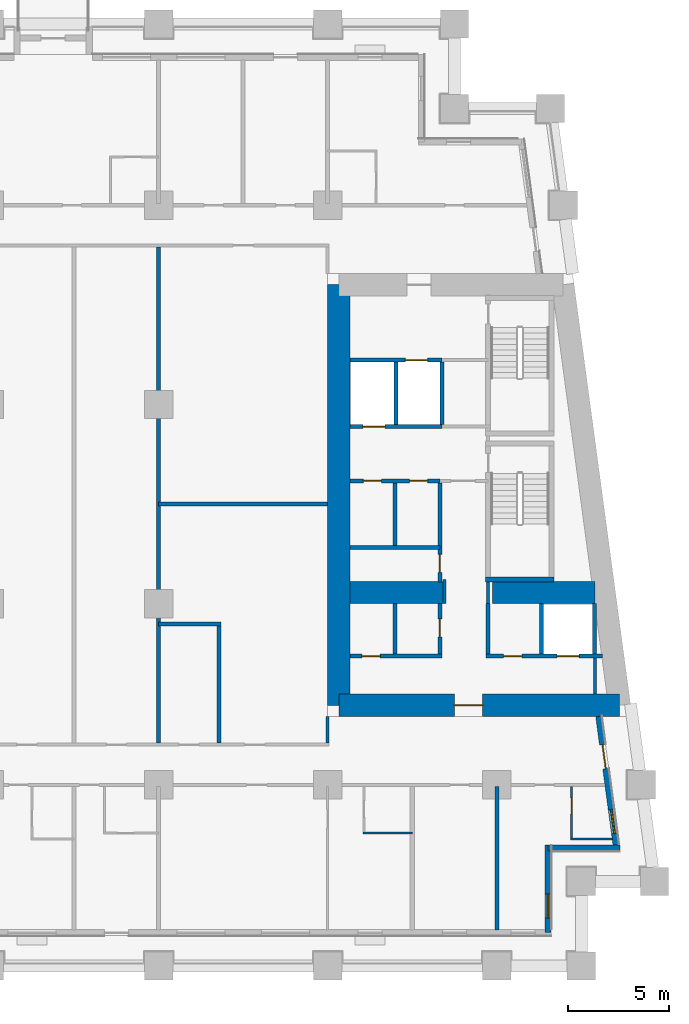
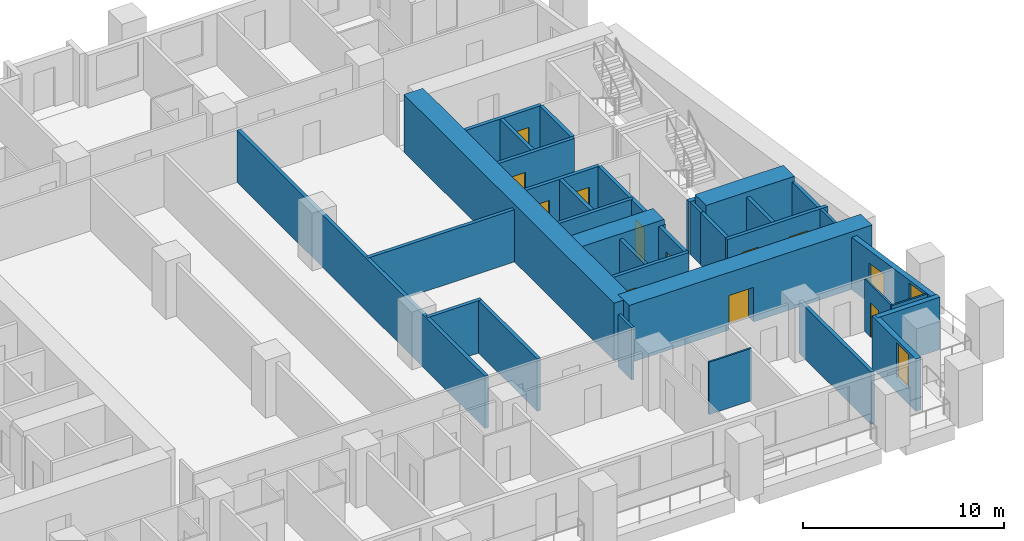
# One storey, part 5 of 13: 35 walls, 12 doors, 2 windows, 14 openings.
"""IFC4 building model written with IfcOpenShell, lengths in metres."""

from ifc_helpers import new_model, si_unit, direction, frame, frame_2d, origin, place, context, subcontext, project, spatial, rectangle, extrude, material, layer, layer_set, type_object, element, fill, save


model = new_model("IFC4")

# Units and contexts
model_context = context("Model", 3, precision=1e-05, world=origin(), true_north=direction((0.0, 1.0)))
body_context = subcontext(model_context, "Body", "Model", "MODEL_VIEW")
ifc_project = project(units=[si_unit("LENGTHUNIT", "METRE"), si_unit("AREAUNIT", "SQUARE_METRE"), si_unit("VOLUMEUNIT", "CUBIC_METRE"), si_unit("PLANEANGLEUNIT", "RADIAN"), si_unit("MASSUNIT", "GRAM", prefix="KILO")], contexts=[model_context])

# Site, building, storey
site_placement = place(None, origin())
site = spatial("IfcSite", under=ifc_project, at=site_placement, CompositionType="ELEMENT")
building_placement = place(site_placement, origin())
building = spatial("IfcBuilding", under=site, at=building_placement, Name="Candeia Pilgrim Tower and Theatre", CompositionType="ELEMENT")
storey_placement = place(building_placement, frame((0.0, 0.0, 67.0)))
storey = spatial("IfcBuildingStorey", under=building, at=storey_placement, Name="L14", CompositionType="ELEMENT", Elevation=67.0)

# Wall, opening, door
ifc_material_1 = material(Name="Concrete C80/95", Category="concrete")
ifc_layer_1 = layer(ifc_material_1, 1.10009765625)
ifc_layer_set_1 = layer_set([ifc_layer_1], Name="Core wall 1100 C80/95")
wall_type_1 = type_object("IfcWallType", Name="Core wall 1100 C80/95", PredefinedType="SHEAR", material=ifc_layer_set_1)
wall_1_placement = place(storey_placement, frame((140.501708984375, 110.949951171875, 0.0), z_axis=(0.0, 0.0, 1.0), x_axis=(-1.0, 0.0, 0.0)))
wall_1 = element("IfcWall", 1, at=wall_1_placement, inside=storey, type_object=wall_type_1, Name="Core wall E3", PredefinedType="SHEAR", context=body_context, shape_type="SweptSolid", body=[
    extrude(rectangle(XDim=13.95166015625, YDim=1.10009765625, at=frame_2d((6.975830078125, 0.0))), origin(), (0.0, 0.0, 1.0), 3.5),
])
opening_1_placement = place(wall_1_placement, frame((6.80419921875, 0.0, 0.0)))
opening_1 = element("IfcOpeningElement", 2, at=opening_1_placement, cuts=wall_1, Name="Opening L14-D056", PredefinedType="OPENING", context=body_context, shape_type="SweptSolid", body=[
    extrude(rectangle(XDim=1.39990234375, YDim=2.10009765625, at=frame_2d((0.699951171875, 1.050048828125))), frame((0.0, 0.56005859375, 0.0), z_axis=(0.0, -1.0, 0.0), x_axis=(1.0, 0.0, 0.0)), (0.0, 0.0, 1.0), 1.1201171875),
])
ifc_material_2 = material(Name="Steel fire door set", Category="steel")
door_type_1 = type_object("IfcDoorType", Name="D-1400-FD60", OperationType="NOTDEFINED", PredefinedType="DOOR", material=ifc_material_2)
door_1_placement = place(opening_1_placement, origin())
door_1 = element("IfcDoor", 3, at=door_1_placement, inside=storey, type_object=door_type_1, Name="Door L14-D056", OperationType="SINGLE_SWING_RIGHT", OverallHeight=2.10009765625, OverallWidth=1.39990234375, PredefinedType="DOOR", context=body_context, shape_type="SweptSolid", body=[
    extrude(rectangle(XDim=1.39990234375, YDim=2.10009765625, at=frame_2d((0.699951171875, 1.050048828125))), frame((0.0, 0.02490234375, 0.0), z_axis=(0.0, -1.0, 0.0), x_axis=(1.0, 0.0, 0.0)), (0.0, 0.0, 1.0), 0.050048828125),
])
fill(opening_1, door_1)

# Walls
wall_2_placement = place(storey_placement, frame((126.550048828125, 110.949951171875, 0.0), z_axis=(0.0, 0.0, 1.0), x_axis=(0.0, 1.0, 0.0)))
element("IfcWall", 4, at=wall_2_placement, inside=storey, type_object=wall_type_1, Name="Core wall E4", PredefinedType="SHEAR", context=body_context, shape_type="SweptSolid", body=[
    extrude(rectangle(XDim=20.900146484375, YDim=1.10009765625, at=frame_2d((10.4501953125, 0.0))), origin(), (0.0, 0.0, 1.0), 3.5),
])
wall_3_placement = place(storey_placement, frame((127.10009765625, 116.550048828125, 0.0), z_axis=(0.0, 0.0, 1.0), x_axis=(1.0, 0.0, 0.0)))
element("IfcWall", 5, at=wall_3_placement, inside=storey, type_object=wall_type_1, Name="Core wall E5", PredefinedType="SHEAR", context=body_context, shape_type="SweptSolid", body=[
    extrude(rectangle(XDim=4.699951171875, YDim=1.10009765625, at=frame_2d((2.35009765625, 0.0))), origin(), (0.0, 0.0, 1.0), 3.5),
])
wall_4_placement = place(storey_placement, frame((134.199951171875, 116.550048828125, 0.0), z_axis=(0.0, 0.0, 1.0), x_axis=(1.0, 0.0, 0.0)))
element("IfcWall", 6, at=wall_4_placement, inside=storey, type_object=wall_type_1, Name="Core wall E6", PredefinedType="SHEAR", context=body_context, shape_type="SweptSolid", body=[
    extrude(rectangle(XDim=5.076904296875, YDim=1.10009765625, at=frame_2d((2.53857421875, 0.0))), origin(), (0.0, 0.0, 1.0), 3.5),
])

# Wall, opening, window
ifc_material_3 = material(Name="Ceramic block masonry", Category="masonry")
ifc_layer_2 = layer(ifc_material_3, 0.300048828125)
ifc_layer_set_2 = layer_set([ifc_layer_2], Name="EW1 glazing-line wall 300")
wall_type_2 = type_object("IfcWallType", Name="EW1 glazing-line wall 300", PredefinedType="SOLIDWALL", material=ifc_layer_set_2)
wall_5_placement = place(storey_placement, frame((136.949951171875, 99.64990234375, 0.0), z_axis=(0.0, 0.0, 1.0), x_axis=(0.0, 1.0, 0.0)))
wall_5 = element("IfcWall", 7, at=wall_5_placement, inside=storey, type_object=wall_type_2, Name="External wall L14-1.0", PredefinedType="SOLIDWALL", context=body_context, shape_type="SweptSolid", body=[
    extrude(rectangle(XDim=4.35009765625, YDim=0.300048828125, at=frame_2d((2.175048828125, 0.0))), origin(), (0.0, 0.0, 1.0), 3.179931640625),
])
opening_2_placement = place(wall_5_placement, frame((0.72509765625, 0.0, 0.89990234375)))
opening_2 = element("IfcOpeningElement", 8, at=opening_2_placement, cuts=wall_5, Name="Opening W-B", PredefinedType="OPENING", context=body_context, shape_type="SweptSolid", body=[
    extrude(rectangle(XDim=1.199951171875, YDim=2.10009765625, at=frame_2d((0.60009765625, 1.050048828125))), frame((0.0, 0.16015625, 0.0), z_axis=(0.0, -1.0, 0.0), x_axis=(1.0, 0.0, 0.0)), (0.0, 0.0, 1.0), 0.320068359375),
])
ifc_material_4 = material(Name="Aluminium framed double glazing", Category="aluminium")
window_type = type_object("IfcWindowType", Name="W-B window 1200x2100", PartitioningType="SINGLE_PANEL", PredefinedType="WINDOW", material=ifc_material_4)
window_1_placement = place(opening_2_placement, origin())
window_1 = element("IfcWindow", 9, at=window_1_placement, inside=storey, type_object=window_type, Name="Window W-B L14", OverallHeight=2.10009765625, OverallWidth=1.199951171875, PartitioningType="SINGLE_PANEL", PredefinedType="WINDOW", context=body_context, shape_type="SweptSolid", body=[
    extrude(rectangle(XDim=1.199951171875, YDim=2.10009765625, at=frame_2d((0.60009765625, 1.050048828125))), frame((0.0, 0.030029296875, 0.0), z_axis=(0.0, -1.0, 0.0), x_axis=(1.0, 0.0, 0.0)), (0.0, 0.0, 1.0), 0.06005859375),
])
fill(opening_2, window_1)

# Wall
wall_6_placement = place(storey_placement, frame((136.949951171875, 103.85009765625, 0.0), z_axis=(0.0, 0.0, 1.0), x_axis=(1.0, 0.0, 0.0)))
element("IfcWall", 10, at=wall_6_placement, inside=storey, type_object=wall_type_2, Name="External wall L14-2.0", PredefinedType="SOLIDWALL", context=body_context, shape_type="SweptSolid", body=[
    extrude(rectangle(XDim=3.569091796875, YDim=0.300048828125, at=frame_2d((1.78466796875, 0.0))), origin(), (0.0, 0.0, 1.0), 3.179931640625),
])

# Wall, openings, door, window
wall_7_placement = place(storey_placement, frame((140.34765625, 103.85009765625, 0.0), z_axis=(0.0, 0.0, 1.0), x_axis=(-0.133431549479, 0.991058031401, 0.0)))
wall_7 = element("IfcWall", 11, at=wall_7_placement, inside=storey, type_object=wall_type_2, Name="External wall L14-3.0", PredefinedType="SOLIDWALL", context=body_context, shape_type="SweptSolid", body=[
    extrude(rectangle(XDim=6.60888671875, YDim=0.300048828125, at=frame_2d((3.304443359375, 0.0))), origin(), (0.0, 0.0, 1.0), 3.179931640625),
])
opening_3_placement = place(wall_7_placement, frame((0.736572265625, 0.0, 0.89990234375)))
opening_3 = element("IfcOpeningElement", 12, at=opening_3_placement, cuts=wall_7, Name="Opening W-B", PredefinedType="OPENING", context=body_context, shape_type="SweptSolid", body=[
    extrude(rectangle(XDim=1.199951171875, YDim=2.10009765625, at=frame_2d((0.60009765625, 1.050048828125))), frame((0.0, 0.16015625, 0.0), z_axis=(0.0, -1.0, 0.0), x_axis=(1.0, 0.0, 0.0)), (0.0, 0.0, 1.0), 0.320068359375),
])
opening_4_placement = place(wall_7_placement, frame((3.990966796875, 0.0, 0.0)))
opening_4 = element("IfcOpeningElement", 13, at=opening_4_placement, cuts=wall_7, Name="Opening L14-ED158", PredefinedType="OPENING", context=body_context, shape_type="SweptSolid", body=[
    extrude(rectangle(XDim=1.199951171875, YDim=2.39990234375, at=frame_2d((0.60009765625, 1.199951171875))), frame((0.0, 0.16015625, 0.0), z_axis=(0.0, -1.0, 0.0), x_axis=(1.0, 0.0, 0.0)), (0.0, 0.0, 1.0), 0.320068359375),
])
ifc_material_5 = material(Name="Aluminium framed glazed door", Category="aluminium")
door_type_2 = type_object("IfcDoorType", Name="Loggia door 1200x2400", OperationType="DOUBLE_DOOR_SINGLE_SWING", PredefinedType="DOOR", material=ifc_material_5)
door_2_placement = place(opening_4_placement, origin())
door_2 = element("IfcDoor", 14, at=door_2_placement, inside=storey, type_object=door_type_2, Name="Loggia door L14-ED158", OperationType="DOUBLE_DOOR_SINGLE_SWING", OverallHeight=2.39990234375, OverallWidth=1.199951171875, PredefinedType="DOOR", context=body_context, shape_type="SweptSolid", body=[
    extrude(rectangle(XDim=1.199951171875, YDim=2.39990234375, at=frame_2d((0.60009765625, 1.199951171875))), frame((0.0, 0.02490234375, 0.0), z_axis=(0.0, -1.0, 0.0), x_axis=(1.0, 0.0, 0.0)), (0.0, 0.0, 1.0), 0.050048828125),
])
fill(opening_4, door_2)
window_2_placement = place(opening_3_placement, origin())
window_2 = element("IfcWindow", 15, at=window_2_placement, inside=storey, type_object=window_type, Name="Window W-B L14", OverallHeight=2.10009765625, OverallWidth=1.199951171875, PartitioningType="SINGLE_PANEL", PredefinedType="WINDOW", context=body_context, shape_type="SweptSolid", body=[
    extrude(rectangle(XDim=1.199951171875, YDim=2.10009765625, at=frame_2d((0.60009765625, 1.050048828125))), frame((0.0, 0.030029296875, 0.0), z_axis=(0.0, -1.0, 0.0), x_axis=(1.0, 0.0, 0.0)), (0.0, 0.0, 1.0), 0.06005859375),
])
fill(opening_3, window_2)

# Walls
ifc_material_6 = material(Name="Gypsum board partition on steel studs", Category="steel")
ifc_layer_3 = layer(ifc_material_6, 0.10009765625)
ifc_layer_set_3 = layer_set([ifc_layer_3], Name="PW-100 room partition")
wall_type_3 = type_object("IfcWallType", Name="PW-100 room partition", PredefinedType="PARTITIONING", material=ifc_layer_set_3)
wall_8_placement = place(storey_placement, frame((138.070068359375, 104.300048828125, 0.0), z_axis=(0.0, 0.0, 1.0), x_axis=(1.0, 0.0, 0.0)))
element("IfcWall", 16, at=wall_8_placement, inside=storey, type_object=wall_type_3, Name="Room partition L14-003", PredefinedType="PARTITIONING", context=body_context, shape_type="SweptSolid", body=[
    extrude(rectangle(XDim=2.07568359375, YDim=0.10009765625, at=frame_2d((1.037841796875, 0.0))), origin(), (0.0, 0.0, 1.0), 3.179931640625),
])
wall_9_placement = place(storey_placement, frame((127.75, 104.60009765625, 0.0), z_axis=(0.0, 0.0, 1.0), x_axis=(1.0, 0.0, 0.0)))
element("IfcWall", 17, at=wall_9_placement, inside=storey, type_object=wall_type_3, Name="Room partition L14-006", PredefinedType="PARTITIONING", context=body_context, shape_type="SweptSolid", body=[
    extrude(rectangle(XDim=2.449951171875, YDim=0.10009765625, at=frame_2d((1.22509765625, 0.0))), origin(), (0.0, 0.0, 1.0), 3.179931640625),
])

# Wall, opening, door
wall_10_placement = place(storey_placement, frame((138.1201171875, 104.35009765625, 0.0), z_axis=(0.0, 0.0, 1.0), x_axis=(0.0, 1.0, 0.0)))
wall_10 = element("IfcWall", 18, at=wall_10_placement, inside=storey, type_object=wall_type_3, Name="Room partition L14-111", PredefinedType="PARTITIONING", context=body_context, shape_type="SweptSolid", body=[
    extrude(rectangle(XDim=2.574951171875, YDim=0.10009765625, at=frame_2d((1.28759765625, 0.0))), origin(), (0.0, 0.0, 1.0), 3.179931640625),
])
opening_5_placement = place(wall_10_placement, frame((1.199951171875, 0.0, 0.0)))
opening_5 = element("IfcOpeningElement", 19, at=opening_5_placement, cuts=wall_10, Name="Opening L14-D036", PredefinedType="OPENING", context=body_context, shape_type="SweptSolid", body=[
    extrude(rectangle(XDim=0.800048828125, YDim=2.10009765625, at=frame_2d((0.39990234375, 1.050048828125))), frame((0.0, 0.06005859375, 0.0), z_axis=(0.0, -1.0, 0.0), x_axis=(1.0, 0.0, 0.0)), (0.0, 0.0, 1.0), 0.1201171875),
])
ifc_material_7 = material(Name="Timber door leaf", Category="wood")
door_type_3 = type_object("IfcDoorType", Name="D-800", OperationType="NOTDEFINED", PredefinedType="DOOR", material=ifc_material_7)
door_3_placement = place(opening_5_placement, origin())
door_3 = element("IfcDoor", 20, at=door_3_placement, inside=storey, type_object=door_type_3, Name="Door L14-D036", OperationType="SINGLE_SWING_RIGHT", OverallHeight=2.10009765625, OverallWidth=0.800048828125, PredefinedType="DOOR", context=body_context, shape_type="SweptSolid", body=[
    extrude(rectangle(XDim=0.800048828125, YDim=2.10009765625, at=frame_2d((0.39990234375, 1.050048828125))), frame((0.0, 0.02490234375, 0.0), z_axis=(0.0, -1.0, 0.0), x_axis=(1.0, 0.0, 0.0)), (0.0, 0.0, 1.0), 0.050048828125),
])
fill(opening_5, door_3)

# Walls
ifc_layer_4 = layer(ifc_material_6, 0.14990234375)
ifc_layer_set_4 = layer_set([ifc_layer_4], Name="PW-150 lobby wall")
wall_type_4 = type_object("IfcWallType", Name="PW-150 lobby wall", PredefinedType="PARTITIONING", material=ifc_layer_set_4)
wall_11_placement = place(storey_placement, frame((131.800048828125, 116.0, 0.0), z_axis=(0.0, 0.0, 1.0), x_axis=(0.0, 1.0, 0.0)))
element("IfcWall", 21, at=wall_11_placement, inside=storey, type_object=wall_type_4, Name="Lobby wall L14-101", PredefinedType="PARTITIONING", context=body_context, shape_type="SweptSolid", body=[
    extrude(rectangle(XDim=1.199951171875, YDim=0.14990234375, at=frame_2d((0.60009765625, 0.0))), origin(), (0.0, 0.0, 1.0), 3.179931640625),
])
wall_12_placement = place(storey_placement, frame((133.972900390625, 116.0, 0.0), z_axis=(0.0, 0.0, 1.0), x_axis=(0.0, 1.0, 0.0)))
element("IfcWall", 22, at=wall_12_placement, inside=storey, type_object=wall_type_4, Name="Lobby wall L14-103", PredefinedType="PARTITIONING", context=body_context, shape_type="SweptSolid", body=[
    extrude(rectangle(XDim=1.070068359375, YDim=0.14990234375, at=frame_2d((0.53515625, 0.0))), origin(), (0.0, 0.0, 1.0), 3.179931640625),
])
wall_13_placement = place(storey_placement, frame((139.27001953125, 111.5, 0.0), z_axis=(0.0, 0.0, 1.0), x_axis=(0.0, 1.0, 0.0)))
element("IfcWall", 23, at=wall_13_placement, inside=storey, type_object=wall_type_4, Name="Lobby wall L14-113", PredefinedType="PARTITIONING", context=body_context, shape_type="SweptSolid", body=[
    extrude(rectangle(XDim=1.800048828125, YDim=0.14990234375, at=frame_2d((0.89990234375, 0.0))), origin(), (0.0, 0.0, 1.0), 3.179931640625),
])
ifc_layer_5 = layer(ifc_material_6, 0.14990234375)
ifc_layer_set_5 = layer_set([ifc_layer_5], Name="PW-150 unit wall")
wall_type_5 = type_object("IfcWallType", Name="PW-150 unit wall", PredefinedType="PARTITIONING", material=ifc_layer_set_5)
wall_14_placement = place(storey_placement, frame((126.0, 109.074951171875, 0.0), z_axis=(0.0, 0.0, 1.0), x_axis=(0.0, 1.0, 0.0)))
element("IfcWall", 24, at=wall_14_placement, inside=storey, type_object=wall_type_5, Name="Unit wall L14-090", PredefinedType="PARTITIONING", context=body_context, shape_type="SweptSolid", body=[
    extrude(rectangle(XDim=1.324951171875, YDim=0.14990234375, at=frame_2d((0.66259765625, 0.0))), origin(), (0.0, 0.0, 1.0), 3.179931640625),
])
ifc_layer_6 = layer(ifc_material_6, 0.199951171875)
ifc_layer_set_6 = layer_set([ifc_layer_6], Name="PW-200 party wall")
wall_type_6 = type_object("IfcWallType", Name="PW-200 party wall", PredefinedType="PARTITIONING", material=ifc_layer_set_6)
wall_15_placement = place(storey_placement, frame((117.60009765625, 115.0, 0.0), z_axis=(0.0, 0.0, 1.0), x_axis=(1.0, 0.0, 0.0)))
element("IfcWall", 25, at=wall_15_placement, inside=storey, type_object=wall_type_6, Name="Party wall L14-015", PredefinedType="PARTITIONING", context=body_context, shape_type="SweptSolid", body=[
    extrude(rectangle(XDim=3.099853515625, YDim=0.199951171875, at=frame_2d((1.5498046875, 0.0))), origin(), (0.0, 0.0, 1.0), 3.179931640625),
])
wall_16_placement = place(storey_placement, frame((117.60009765625, 120.949951171875, 0.0), z_axis=(0.0, 0.0, 1.0), x_axis=(1.0, 0.0, 0.0)))
element("IfcWall", 26, at=wall_16_placement, inside=storey, type_object=wall_type_6, Name="Party wall L14-020", PredefinedType="PARTITIONING", context=body_context, shape_type="SweptSolid", body=[
    extrude(rectangle(XDim=8.39990234375, YDim=0.199951171875, at=frame_2d((4.199951171875, 0.0))), origin(), (0.0, 0.0, 1.0), 3.179931640625),
])
wall_17_placement = place(storey_placement, frame((117.60009765625, 109.074951171875, 0.0), z_axis=(0.0, 0.0, 1.0), x_axis=(0.0, 1.0, 0.0)))
element("IfcWall", 27, at=wall_17_placement, inside=storey, type_object=wall_type_6, Name="Party wall L14-084", PredefinedType="PARTITIONING", context=body_context, shape_type="SweptSolid", body=[
    extrude(rectangle(XDim=24.650146484375, YDim=0.199951171875, at=frame_2d((12.3251953125, 0.0))), origin(), (0.0, 0.0, 1.0), 3.179931640625),
])
wall_18_placement = place(storey_placement, frame((120.60009765625, 109.074951171875, 0.0), z_axis=(0.0, 0.0, 1.0), x_axis=(0.0, 1.0, 0.0)))
element("IfcWall", 28, at=wall_18_placement, inside=storey, type_object=wall_type_6, Name="Party wall L14-086", PredefinedType="PARTITIONING", context=body_context, shape_type="SweptSolid", body=[
    extrude(rectangle(XDim=5.824951171875, YDim=0.199951171875, at=frame_2d((2.91259765625, 0.0))), origin(), (0.0, 0.0, 1.0), 3.179931640625),
])
wall_19_placement = place(storey_placement, frame((134.39990234375, 99.7900390625, 0.0), z_axis=(0.0, 0.0, 1.0), x_axis=(0.0, 1.0, 0.0)))
element("IfcWall", 29, at=wall_19_placement, inside=storey, type_object=wall_type_6, Name="Party wall L14-107", PredefinedType="PARTITIONING", context=body_context, shape_type="SweptSolid", body=[
    extrude(rectangle(XDim=7.135009765625, YDim=0.199951171875, at=frame_2d((3.5673828125, 0.0))), origin(), (0.0, 0.0, 1.0), 3.179931640625),
])

# Wall, opening, door
ifc_material_8 = material(Name="Concrete C40/50", Category="concrete")
ifc_layer_7 = layer(ifc_material_8, 0.199951171875)
ifc_layer_set_7 = layer_set([ifc_layer_7], Name="SW-200 shaft wall")
wall_type_7 = type_object("IfcWallType", Name="SW-200 shaft wall", PredefinedType="PARTITIONING", material=ifc_layer_set_7)
wall_20_placement = place(storey_placement, frame((127.10009765625, 113.39990234375, 0.0), z_axis=(0.0, 0.0, 1.0), x_axis=(1.0, 0.0, 0.0)))
wall_20 = element("IfcWall", 30, at=wall_20_placement, inside=storey, type_object=wall_type_7, Name="Shaft wall L14-013", PredefinedType="PARTITIONING", context=body_context, shape_type="SweptSolid", body=[
    extrude(rectangle(XDim=4.572998046875, YDim=0.199951171875, at=frame_2d((2.28662109375, 0.0))), origin(), (0.0, 0.0, 1.0), 3.179931640625),
])
opening_6_placement = place(wall_20_placement, frame((0.60498046875, 0.0, 0.0)))
opening_6 = element("IfcOpeningElement", 31, at=opening_6_placement, cuts=wall_20, Name="Opening L14-D016", PredefinedType="OPENING", context=body_context, shape_type="SweptSolid", body=[
    extrude(rectangle(XDim=0.89990234375, YDim=2.10009765625, at=frame_2d((0.449951171875, 1.050048828125))), frame((0.0, 0.10986328125, 0.0), z_axis=(0.0, -1.0, 0.0), x_axis=(1.0, 0.0, 0.0)), (0.0, 0.0, 1.0), 0.219970703125),
])
door_type_4 = type_object("IfcDoorType", Name="D-900-FD60", OperationType="NOTDEFINED", PredefinedType="DOOR", material=ifc_material_2)
door_4_placement = place(opening_6_placement, origin())
door_4 = element("IfcDoor", 32, at=door_4_placement, inside=storey, type_object=door_type_4, Name="Door L14-D016", OperationType="SINGLE_SWING_RIGHT", OverallHeight=2.10009765625, OverallWidth=0.89990234375, PredefinedType="DOOR", context=body_context, shape_type="SweptSolid", body=[
    extrude(rectangle(XDim=0.89990234375, YDim=2.10009765625, at=frame_2d((0.449951171875, 1.050048828125))), frame((0.0, 0.02490234375, 0.0), z_axis=(0.0, -1.0, 0.0), x_axis=(1.0, 0.0, 0.0)), (0.0, 0.0, 1.0), 0.050048828125),
])
fill(opening_6, door_4)

# Wall, openings, doors
wall_21_placement = place(storey_placement, frame((133.873046875, 113.39990234375, 0.0), z_axis=(0.0, 0.0, 1.0), x_axis=(1.0, 0.0, 0.0)))
wall_21 = element("IfcWall", 33, at=wall_21_placement, inside=storey, type_object=wall_type_7, Name="Shaft wall L14-014", PredefinedType="PARTITIONING", context=body_context, shape_type="SweptSolid", body=[
    extrude(rectangle(XDim=5.77392578125, YDim=0.199951171875, at=frame_2d((2.886962890625, 0.0))), origin(), (0.0, 0.0, 1.0), 3.179931640625),
])
opening_7_placement = place(wall_21_placement, frame((3.52294921875, 0.0, 0.0)))
opening_7 = element("IfcOpeningElement", 34, at=opening_7_placement, cuts=wall_21, Name="Opening L14-LD08", PredefinedType="OPENING", context=body_context, shape_type="SweptSolid", body=[
    extrude(rectangle(XDim=1.10009765625, YDim=2.10009765625, at=frame_2d((0.550048828125, 1.050048828125))), frame((0.0, 0.10986328125, 0.0), z_axis=(0.0, -1.0, 0.0), x_axis=(1.0, 0.0, 0.0)), (0.0, 0.0, 1.0), 0.219970703125),
])
opening_8_placement = place(wall_21_placement, frame((0.868896484375, 0.0, 0.0)))
opening_8 = element("IfcOpeningElement", 35, at=opening_8_placement, cuts=wall_21, Name="Opening L14-D014", PredefinedType="OPENING", context=body_context, shape_type="SweptSolid", body=[
    extrude(rectangle(XDim=0.89990234375, YDim=2.10009765625, at=frame_2d((0.449951171875, 1.050048828125))), frame((0.0, 0.10986328125, 0.0), z_axis=(0.0, -1.0, 0.0), x_axis=(1.0, 0.0, 0.0)), (0.0, 0.0, 1.0), 0.219970703125),
])
door_5_placement = place(opening_8_placement, origin())
door_5 = element("IfcDoor", 36, at=door_5_placement, inside=storey, type_object=door_type_4, Name="Door L14-D014", OperationType="SINGLE_SWING_RIGHT", OverallHeight=2.10009765625, OverallWidth=0.89990234375, PredefinedType="DOOR", context=body_context, shape_type="SweptSolid", body=[
    extrude(rectangle(XDim=0.89990234375, YDim=2.10009765625, at=frame_2d((0.449951171875, 1.050048828125))), frame((0.0, 0.02490234375, 0.0), z_axis=(0.0, -1.0, 0.0), x_axis=(1.0, 0.0, 0.0)), (0.0, 0.0, 1.0), 0.050048828125),
])
fill(opening_8, door_5)
ifc_material_9 = material(Name="Glazed aluminium landing door", Category="aluminium")
door_type_5 = type_object("IfcDoorType", Name="LD-1100-EI120", OperationType="SLIDING_TO_LEFT", PredefinedType="DOOR", material=ifc_material_9)
door_6_placement = place(opening_7_placement, origin())
door_6 = element("IfcDoor", 37, at=door_6_placement, inside=storey, type_object=door_type_5, Name="Landing door 08 L14", OperationType="SLIDING_TO_LEFT", OverallHeight=2.10009765625, OverallWidth=1.10009765625, PredefinedType="DOOR", context=body_context, shape_type="SweptSolid", body=[
    extrude(rectangle(XDim=1.10009765625, YDim=2.10009765625, at=frame_2d((0.550048828125, 1.050048828125))), frame((0.0, 0.02490234375, 0.0), z_axis=(0.0, -1.0, 0.0), x_axis=(1.0, 0.0, 0.0)), (0.0, 0.0, 1.0), 0.050048828125),
])
fill(opening_7, door_6)

# Wall
wall_22_placement = place(storey_placement, frame((127.10009765625, 118.800048828125, 0.0), z_axis=(0.0, 0.0, 1.0), x_axis=(1.0, 0.0, 0.0)))
element("IfcWall", 38, at=wall_22_placement, inside=storey, type_object=wall_type_7, Name="Shaft wall L14-019", PredefinedType="PARTITIONING", context=body_context, shape_type="SweptSolid", body=[
    extrude(rectangle(XDim=4.472900390625, YDim=0.199951171875, at=frame_2d((2.236328125, 0.0))), origin(), (0.0, 0.0, 1.0), 3.179931640625),
])

# Wall, openings, doors
wall_23_placement = place(storey_placement, frame((127.10009765625, 122.10009765625, 0.0), z_axis=(0.0, 0.0, 1.0), x_axis=(1.0, 0.0, 0.0)))
wall_23 = element("IfcWall", 39, at=wall_23_placement, inside=storey, type_object=wall_type_7, Name="Shaft wall L14-022", PredefinedType="PARTITIONING", context=body_context, shape_type="SweptSolid", body=[
    extrude(rectangle(XDim=4.472900390625, YDim=0.199951171875, at=frame_2d((2.236328125, 0.0))), origin(), (0.0, 0.0, 1.0), 3.179931640625),
])
opening_9_placement = place(wall_23_placement, frame((2.968017578125, 0.0, 0.0)))
opening_9 = element("IfcOpeningElement", 40, at=opening_9_placement, cuts=wall_23, Name="Opening L14-D009", PredefinedType="OPENING", context=body_context, shape_type="SweptSolid", body=[
    extrude(rectangle(XDim=0.89990234375, YDim=2.10009765625, at=frame_2d((0.449951171875, 1.050048828125))), frame((0.0, 0.10986328125, 0.0), z_axis=(0.0, -1.0, 0.0), x_axis=(1.0, 0.0, 0.0)), (0.0, 0.0, 1.0), 0.219970703125),
])
opening_10_placement = place(wall_23_placement, frame((0.66796875, 0.0, 0.0)))
opening_10 = element("IfcOpeningElement", 41, at=opening_10_placement, cuts=wall_23, Name="Opening L14-D010", PredefinedType="OPENING", context=body_context, shape_type="SweptSolid", body=[
    extrude(rectangle(XDim=0.89990234375, YDim=2.10009765625, at=frame_2d((0.449951171875, 1.050048828125))), frame((0.0, 0.10986328125, 0.0), z_axis=(0.0, -1.0, 0.0), x_axis=(1.0, 0.0, 0.0)), (0.0, 0.0, 1.0), 0.219970703125),
])
door_7_placement = place(opening_9_placement, origin())
door_7 = element("IfcDoor", 42, at=door_7_placement, inside=storey, type_object=door_type_4, Name="Door L14-D009", OperationType="SINGLE_SWING_RIGHT", OverallHeight=2.10009765625, OverallWidth=0.89990234375, PredefinedType="DOOR", context=body_context, shape_type="SweptSolid", body=[
    extrude(rectangle(XDim=0.89990234375, YDim=2.10009765625, at=frame_2d((0.449951171875, 1.050048828125))), frame((0.0, 0.02490234375, 0.0), z_axis=(0.0, -1.0, 0.0), x_axis=(1.0, 0.0, 0.0)), (0.0, 0.0, 1.0), 0.050048828125),
])
fill(opening_9, door_7)
door_8_placement = place(opening_10_placement, origin())
door_8 = element("IfcDoor", 43, at=door_8_placement, inside=storey, type_object=door_type_4, Name="Door L14-D010", OperationType="SINGLE_SWING_LEFT", OverallHeight=2.10009765625, OverallWidth=0.89990234375, PredefinedType="DOOR", context=body_context, shape_type="SweptSolid", body=[
    extrude(rectangle(XDim=0.89990234375, YDim=2.10009765625, at=frame_2d((0.449951171875, 1.050048828125))), frame((0.0, 0.02490234375, 0.0), z_axis=(0.0, -1.0, 0.0), x_axis=(1.0, 0.0, 0.0)), (0.0, 0.0, 1.0), 0.050048828125),
])
fill(opening_10, door_8)

# Wall, opening, door
wall_24_placement = place(storey_placement, frame((127.10009765625, 124.800048828125, 0.0), z_axis=(0.0, 0.0, 1.0), x_axis=(1.0, 0.0, 0.0)))
wall_24 = element("IfcWall", 44, at=wall_24_placement, inside=storey, type_object=wall_type_7, Name="Shaft wall L14-030", PredefinedType="PARTITIONING", context=body_context, shape_type="SweptSolid", body=[
    extrude(rectangle(XDim=4.581787109375, YDim=0.199951171875, at=frame_2d((2.291015625, 0.0))), origin(), (0.0, 0.0, 1.0), 3.179931640625),
])
opening_11_placement = place(wall_24_placement, frame((0.64501953125, 0.0, 0.0)))
opening_11 = element("IfcOpeningElement", 45, at=opening_11_placement, cuts=wall_24, Name="Opening L14-LD07", PredefinedType="OPENING", context=body_context, shape_type="SweptSolid", body=[
    extrude(rectangle(XDim=1.10009765625, YDim=2.10009765625, at=frame_2d((0.550048828125, 1.050048828125))), frame((0.0, 0.10986328125, 0.0), z_axis=(0.0, -1.0, 0.0), x_axis=(1.0, 0.0, 0.0)), (0.0, 0.0, 1.0), 0.219970703125),
])
door_9_placement = place(opening_11_placement, origin())
door_9 = element("IfcDoor", 46, at=door_9_placement, inside=storey, type_object=door_type_5, Name="Landing door 07 L14", OperationType="SLIDING_TO_LEFT", OverallHeight=2.10009765625, OverallWidth=1.10009765625, PredefinedType="DOOR", context=body_context, shape_type="SweptSolid", body=[
    extrude(rectangle(XDim=1.10009765625, YDim=2.10009765625, at=frame_2d((0.550048828125, 1.050048828125))), frame((0.0, 0.02490234375, 0.0), z_axis=(0.0, -1.0, 0.0), x_axis=(1.0, 0.0, 0.0)), (0.0, 0.0, 1.0), 0.050048828125),
])
fill(opening_11, door_9)

wall_25_placement = place(storey_placement, frame((127.10009765625, 128.10009765625, 0.0), z_axis=(0.0, 0.0, 1.0), x_axis=(1.0, 0.0, 0.0)))
wall_25 = element("IfcWall", 47, at=wall_25_placement, inside=storey, type_object=wall_type_7, Name="Shaft wall L14-033", PredefinedType="PARTITIONING", context=body_context, shape_type="SweptSolid", body=[
    extrude(rectangle(XDim=4.581787109375, YDim=0.199951171875, at=frame_2d((2.291015625, 0.0))), origin(), (0.0, 0.0, 1.0), 3.179931640625),
])
opening_12_placement = place(wall_25_placement, frame((2.763916015625, 0.0, 0.0)))
opening_12 = element("IfcOpeningElement", 48, at=opening_12_placement, cuts=wall_25, Name="Opening L14-LD06", PredefinedType="OPENING", context=body_context, shape_type="SweptSolid", body=[
    extrude(rectangle(XDim=1.10009765625, YDim=2.10009765625, at=frame_2d((0.550048828125, 1.050048828125))), frame((0.0, 0.10986328125, 0.0), z_axis=(0.0, -1.0, 0.0), x_axis=(1.0, 0.0, 0.0)), (0.0, 0.0, 1.0), 0.219970703125),
])
door_10_placement = place(opening_12_placement, origin())
door_10 = element("IfcDoor", 49, at=door_10_placement, inside=storey, type_object=door_type_5, Name="Landing door 06 L14", OperationType="SLIDING_TO_LEFT", OverallHeight=2.10009765625, OverallWidth=1.10009765625, PredefinedType="DOOR", context=body_context, shape_type="SweptSolid", body=[
    extrude(rectangle(XDim=1.10009765625, YDim=2.10009765625, at=frame_2d((0.550048828125, 1.050048828125))), frame((0.0, 0.02490234375, 0.0), z_axis=(0.0, -1.0, 0.0), x_axis=(1.0, 0.0, 0.0)), (0.0, 0.0, 1.0), 0.050048828125),
])
fill(opening_12, door_10)

# Walls
wall_26_placement = place(storey_placement, frame((129.33642578125, 113.5, 0.0), z_axis=(0.0, 0.0, 1.0), x_axis=(0.0, 1.0, 0.0)))
element("IfcWall", 50, at=wall_26_placement, inside=storey, type_object=wall_type_7, Name="Shaft wall L14-094", PredefinedType="PARTITIONING", context=body_context, shape_type="SweptSolid", body=[
    extrude(rectangle(XDim=2.5, YDim=0.199951171875, at=frame_2d((1.25, 0.0))), origin(), (0.0, 0.0, 1.0), 3.179931640625),
])
for number, where, z_axis, x_axis, name in (
    (51, (129.33642578125, 118.89990234375, 0.0), (0.0, 0.0, 1.0), (0.0, 1.0, 0.0), "Shaft wall L14-095"),
    (52, (129.39111328125, 124.89990234375, 0.0), (0.0, 0.0, 1.0), (0.0, 1.0, 0.0), "Shaft wall L14-096"),
):
    element("IfcWall", number, at=place(storey_placement, frame(where, z_axis=z_axis, x_axis=x_axis)), inside=storey, type_object=wall_type_7, Name=name, PredefinedType="PARTITIONING", context=body_context, shape_type="SweptSolid", body=[
        extrude(rectangle(XDim=3.10009765625, YDim=0.199951171875, at=frame_2d((1.550048828125, 0.0))), origin(), (0.0, 0.0, 1.0), 3.179931640625),
    ])

# Wall, opening, door
wall_27_placement = place(storey_placement, frame((131.572998046875, 113.5, 0.0), z_axis=(0.0, 0.0, 1.0), x_axis=(0.0, 1.0, 0.0)))
wall_27 = element("IfcWall", 53, at=wall_27_placement, inside=storey, type_object=wall_type_7, Name="Shaft wall L14-098", PredefinedType="PARTITIONING", context=body_context, shape_type="SweptSolid", body=[
    extrude(rectangle(XDim=2.5, YDim=0.199951171875, at=frame_2d((1.25, 0.0))), origin(), (0.0, 0.0, 1.0), 3.179931640625),
])
opening_13_placement = place(wall_27_placement, frame((0.85009765625, 0.0, 0.0)))
opening_13 = element("IfcOpeningElement", 54, at=opening_13_placement, cuts=wall_27, Name="Opening L14-D015", PredefinedType="OPENING", context=body_context, shape_type="SweptSolid", body=[
    extrude(rectangle(XDim=0.89990234375, YDim=2.10009765625, at=frame_2d((0.449951171875, 1.050048828125))), frame((0.0, 0.10986328125, 0.0), z_axis=(0.0, -1.0, 0.0), x_axis=(1.0, 0.0, 0.0)), (0.0, 0.0, 1.0), 0.219970703125),
])
door_11_placement = place(opening_13_placement, origin())
door_11 = element("IfcDoor", 55, at=door_11_placement, inside=storey, type_object=door_type_4, Name="Door L14-D015", OperationType="SINGLE_SWING_LEFT", OverallHeight=2.10009765625, OverallWidth=0.89990234375, PredefinedType="DOOR", context=body_context, shape_type="SweptSolid", body=[
    extrude(rectangle(XDim=0.89990234375, YDim=2.10009765625, at=frame_2d((0.449951171875, 1.050048828125))), frame((0.0, 0.02490234375, 0.0), z_axis=(0.0, -1.0, 0.0), x_axis=(1.0, 0.0, 0.0)), (0.0, 0.0, 1.0), 0.050048828125),
])
fill(opening_13, door_11)

wall_28_placement = place(storey_placement, frame((131.572998046875, 117.070068359375, 0.0), z_axis=(0.0, 0.0, 1.0), x_axis=(0.0, 1.0, 0.0)))
wall_28 = element("IfcWall", 56, at=wall_28_placement, inside=storey, type_object=wall_type_7, Name="Shaft wall L14-099", PredefinedType="PARTITIONING", context=body_context, shape_type="SweptSolid", body=[
    extrude(rectangle(XDim=4.929931640625, YDim=0.199951171875, at=frame_2d((2.46484375, 0.0))), origin(), (0.0, 0.0, 1.0), 3.179931640625),
])
opening_14_placement = place(wall_28_placement, frame((0.47998046875, 0.0, 0.0)))
opening_14 = element("IfcOpeningElement", 57, at=opening_14_placement, cuts=wall_28, Name="Opening L14-D013", PredefinedType="OPENING", context=body_context, shape_type="SweptSolid", body=[
    extrude(rectangle(XDim=0.89990234375, YDim=2.10009765625, at=frame_2d((0.449951171875, 1.050048828125))), frame((0.0, 0.10986328125, 0.0), z_axis=(0.0, -1.0, 0.0), x_axis=(1.0, 0.0, 0.0)), (0.0, 0.0, 1.0), 0.219970703125),
])
door_12_placement = place(opening_14_placement, origin())
door_12 = element("IfcDoor", 58, at=door_12_placement, inside=storey, type_object=door_type_4, Name="Door L14-D013", OperationType="SINGLE_SWING_RIGHT", OverallHeight=2.10009765625, OverallWidth=0.89990234375, PredefinedType="DOOR", context=body_context, shape_type="SweptSolid", body=[
    extrude(rectangle(XDim=0.89990234375, YDim=2.10009765625, at=frame_2d((0.449951171875, 1.050048828125))), frame((0.0, 0.02490234375, 0.0), z_axis=(0.0, -1.0, 0.0), x_axis=(1.0, 0.0, 0.0)), (0.0, 0.0, 1.0), 0.050048828125),
])
fill(opening_14, door_12)

# Walls
wall_29_placement = place(storey_placement, frame((131.681884765625, 124.89990234375, 0.0), z_axis=(0.0, 0.0, 1.0), x_axis=(0.0, 1.0, 0.0)))
element("IfcWall", 59, at=wall_29_placement, inside=storey, type_object=wall_type_7, Name="Shaft wall L14-100", PredefinedType="PARTITIONING", context=body_context, shape_type="SweptSolid", body=[
    extrude(rectangle(XDim=3.10009765625, YDim=0.199951171875, at=frame_2d((1.550048828125, 0.0))), origin(), (0.0, 0.0, 1.0), 3.179931640625),
])
for number, where, z_axis, x_axis, name in (
    (60, (133.972900390625, 113.5, 0.0), (0.0, 0.0, 1.0), (0.0, 1.0, 0.0), "Shaft wall L14-102"),
    (61, (136.62158203125, 113.5, 0.0), (0.0, 0.0, 1.0), (0.0, 1.0, 0.0), "Shaft wall L14-108"),
    (62, (139.247802734375, 113.5, 0.0), (0.0, 0.0, 1.0), (0.0, 1.0, 0.0), "Shaft wall L14-112"),
):
    element("IfcWall", number, at=place(storey_placement, frame(where, z_axis=z_axis, x_axis=x_axis)), inside=storey, type_object=wall_type_7, Name=name, PredefinedType="PARTITIONING", context=body_context, shape_type="SweptSolid", body=[
        extrude(rectangle(XDim=2.5, YDim=0.199951171875, at=frame_2d((1.25, 0.0))), origin(), (0.0, 0.0, 1.0), 3.179931640625),
    ])
ifc_layer_8 = layer(ifc_material_8, 0.25)
ifc_layer_set_8 = layer_set([ifc_layer_8], Name="SW-250 stair wall")
wall_type_8 = type_object("IfcWallType", Name="SW-250 stair wall", PredefinedType="PARTITIONING", material=ifc_layer_set_8)
wall_30_placement = place(storey_placement, frame((133.847900390625, 117.199951171875, 0.0), z_axis=(0.0, 0.0, 1.0), x_axis=(1.0, 0.0, 0.0)))
element("IfcWall", 63, at=wall_30_placement, inside=storey, type_object=wall_type_8, Name="Stair wall L14-017", PredefinedType="PARTITIONING", context=body_context, shape_type="SweptSolid", body=[
    extrude(rectangle(XDim=3.400146484375, YDim=0.25, at=frame_2d((1.7001953125, 0.0))), origin(), (0.0, 0.0, 1.0), 3.179931640625),
])

save(model, "model.ifc")
